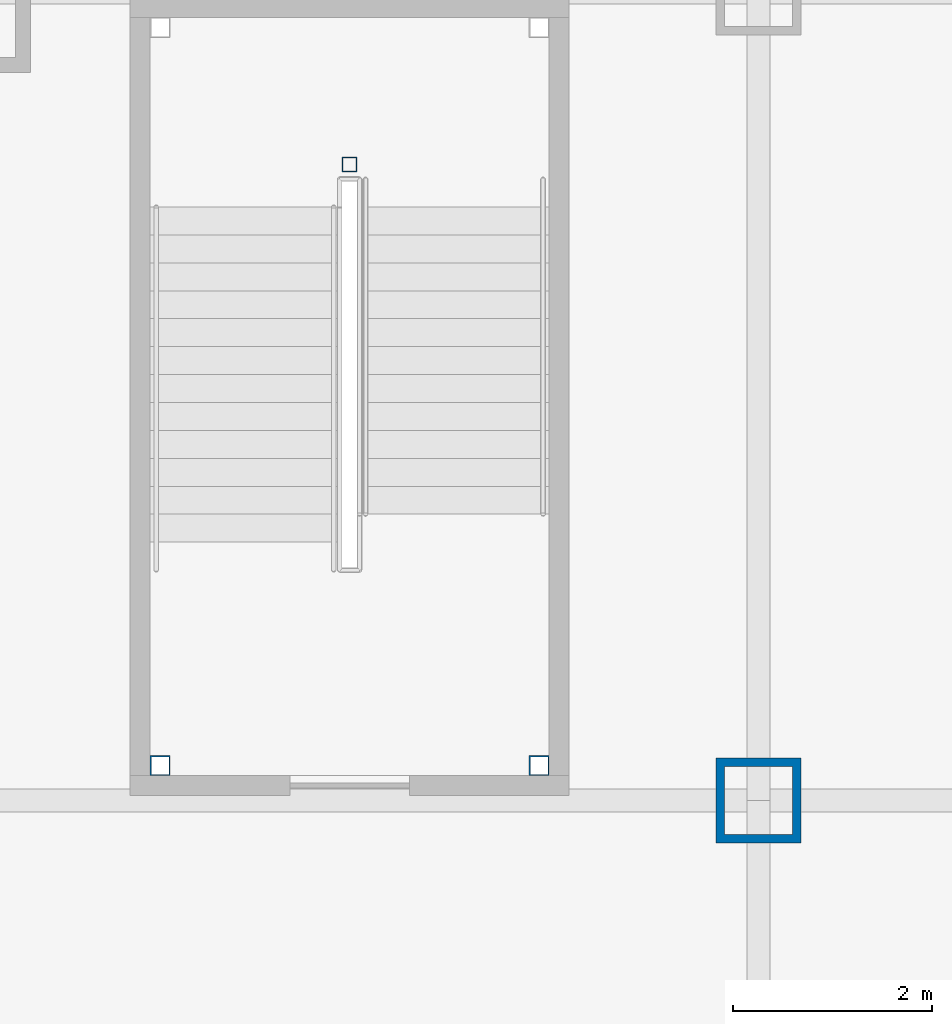
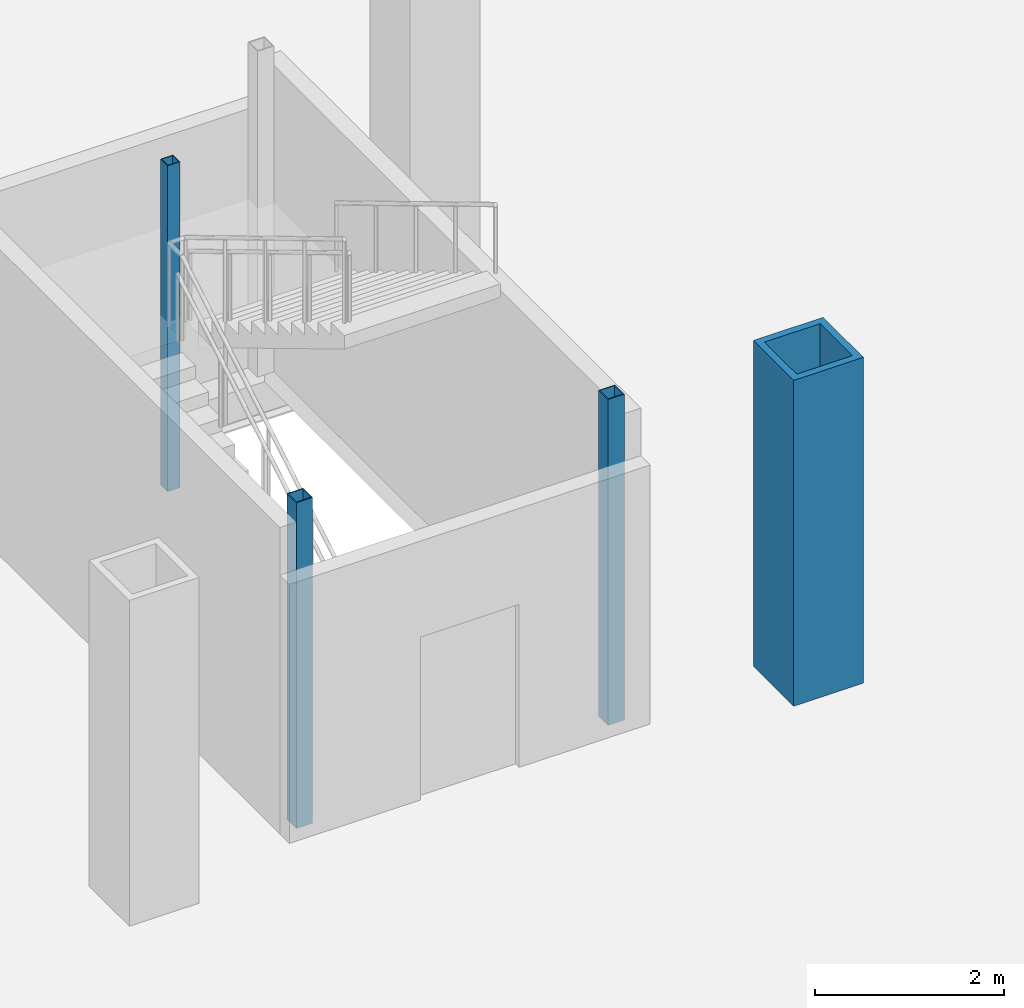
# One storey, part 4 of 14: 4 columns.
"""IFC4 building model written with IfcOpenShell, lengths in metres."""

from ifc_helpers import new_model, si_unit, direction, frame, origin, origin_2d, place, context, subcontext, project, spatial, hollow_rectangle, extrude, material, material_profile, profile_set, type_object, element, save


model = new_model("IFC4")

# Units and contexts
model_context = context("Model", 3, precision=1e-05, world=origin(), true_north=direction((0.0, 1.0)))
body_context = subcontext(model_context, "Body", "Model", "MODEL_VIEW")
ifc_project = project(units=[si_unit("LENGTHUNIT", "METRE"), si_unit("AREAUNIT", "SQUARE_METRE"), si_unit("VOLUMEUNIT", "CUBIC_METRE"), si_unit("PLANEANGLEUNIT", "RADIAN"), si_unit("MASSUNIT", "GRAM", prefix="KILO")], contexts=[model_context])

# Site, building, storey
site_placement = place(None, origin())
site = spatial("IfcSite", under=ifc_project, at=site_placement, CompositionType="ELEMENT")
building_placement = place(site_placement, origin())
building = spatial("IfcBuilding", under=site, at=building_placement, Name="Kopane Lantern Tower", CompositionType="ELEMENT")
storey_placement = place(building_placement, frame((0.0, 0.0, -4.199951171875)))
storey = spatial("IfcBuildingStorey", under=building, at=storey_placement, Name="L-01", CompositionType="ELEMENT", Elevation=-4.199951171875)

# Columns
ifc_material_1 = material(Name="Steel S355JR", Category="steel")
ifc_material_profile_1 = material_profile(ifc_material_1, hollow_rectangle(XDim=0.85009765625, YDim=0.85009765625, WallThickness=0.0849609375, at=origin_2d()), Name="BOX 850x850x85")
ifc_profile_set_1 = profile_set([ifc_material_profile_1], Name="Steel S355JR")
column_type_1 = type_object("IfcColumnType", Name="COLUMN BOX 850x850x85", PredefinedType="COLUMN", material=ifc_profile_set_1)
column_1_placement = place(storey_placement, frame((48.60009765625, 16.199951171875, 0.0), z_axis=(0.0, 0.0, 1.0), x_axis=(1.0, 0.0, 0.0)))
element("IfcColumn", 1, at=column_1_placement, inside=storey, type_object=column_type_1, Name="Column 8/D L-01", PredefinedType="COLUMN", context=body_context, shape_type="SweptSolid", body=[
    extrude(hollow_rectangle(XDim=0.85009765625, YDim=0.85009765625, WallThickness=0.0849609375, at=origin_2d()), origin(), (0.0, 0.0, 1.0), 4.199951171875),
])
ifc_material_2 = material(Name="Steel S355JR", Category="steel")
ifc_material_profile_2 = material_profile(ifc_material_2, hollow_rectangle(XDim=0.14990234375, YDim=0.14990234375, WallThickness=0.010009765625, at=origin_2d()), Name="BOX 150x150x10")
ifc_profile_set_2 = profile_set([ifc_material_profile_2], Name="Steel S355JR")
column_type_2 = type_object("IfcColumnType", Name="STAIR NEWEL POST BOX 150x150x10", PredefinedType="COLUMN", material=ifc_profile_set_2)
column_2_placement = place(storey_placement, frame((44.5, 22.574951171875, 0.0), z_axis=(0.0, 0.0, 1.0), x_axis=(1.0, 0.0, 0.0)))
element("IfcColumn", 2, at=column_2_placement, inside=storey, type_object=column_type_2, Name="Stair newel post ST4 NEWEL L-01", PredefinedType="COLUMN", context=body_context, shape_type="SweptSolid", body=[
    extrude(hollow_rectangle(XDim=0.14990234375, YDim=0.14990234375, WallThickness=0.010009765625, at=origin_2d()), origin(), (0.0, 0.0, 1.0), 4.199951171875),
])
ifc_material_3 = material(Name="Steel S355JR", Category="steel")
ifc_material_profile_3 = material_profile(ifc_material_3, hollow_rectangle(XDim=0.199951171875, YDim=0.199951171875, WallThickness=0.011962890625, at=origin_2d()), Name="BOX 200x200x12")
ifc_profile_set_3 = profile_set([ifc_material_profile_3], Name="Steel S355JR")
column_type_3 = type_object("IfcColumnType", Name="STAIR POST BOX 200x200x12", PredefinedType="COLUMN", material=ifc_profile_set_3)
for number, where, z_axis, x_axis, name in (
    (3, (42.60009765625, 16.550048828125, 0.0), (0.0, 0.0, 1.0), (1.0, 0.0, 0.0), "Stair post ST4 SW L-01"),
    (4, (46.39990234375, 16.550048828125, 0.0), (0.0, 0.0, 1.0), (1.0, 0.0, 0.0), "Stair post ST4 SE L-01"),
):
    element("IfcColumn", number, at=place(storey_placement, frame(where, z_axis=z_axis, x_axis=x_axis)), inside=storey, type_object=column_type_3, Name=name, PredefinedType="COLUMN", context=body_context, shape_type="SweptSolid", body=[
        extrude(hollow_rectangle(XDim=0.199951171875, YDim=0.199951171875, WallThickness=0.011962890625, at=origin_2d()), origin(), (0.0, 0.0, 1.0), 4.199951171875),
    ])

save(model, "model.ifc")
